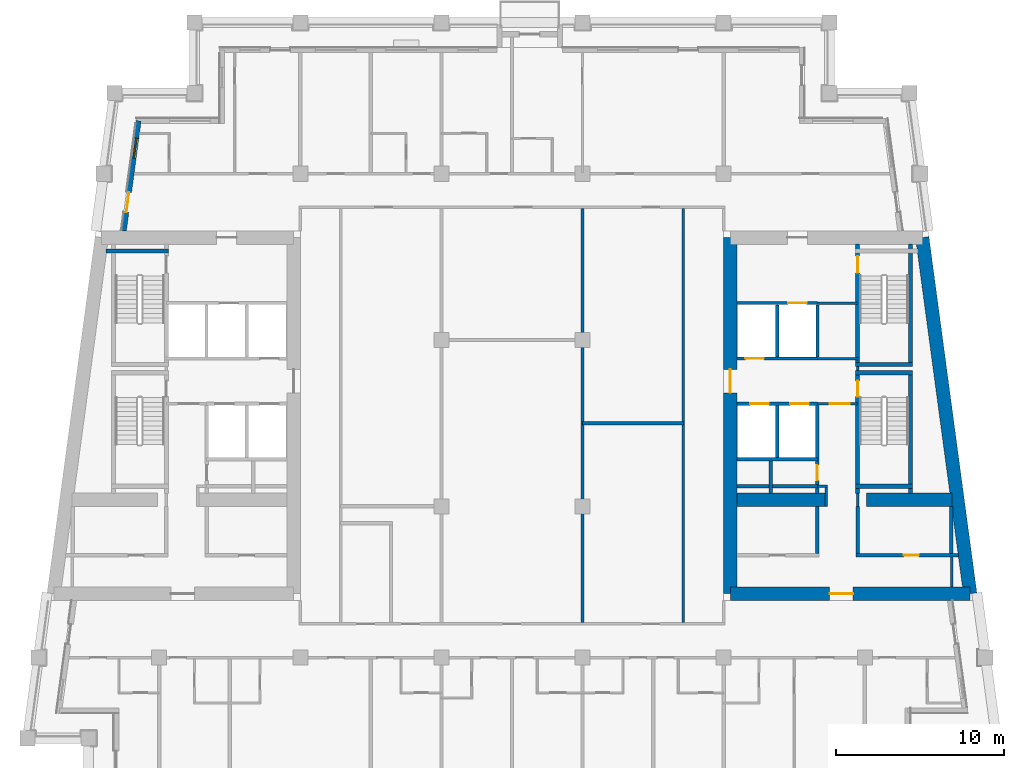
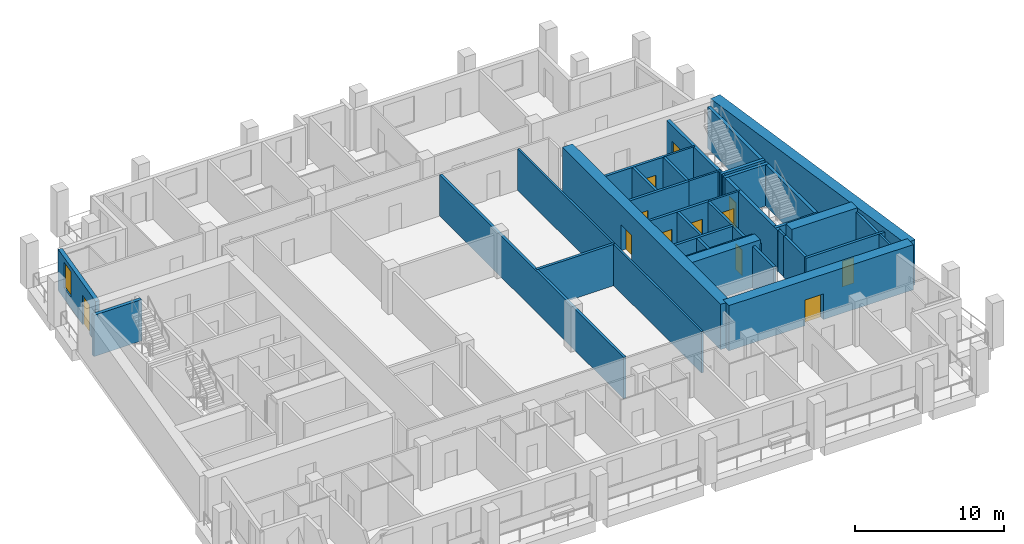
# One storey, part 5 of 12: 39 walls, 12 doors, 1 window, 13 openings.
"""IFC4 building model written with IfcOpenShell, lengths in metres."""

from ifc_helpers import new_model, si_unit, direction, frame, frame_2d, origin, place, context, subcontext, project, spatial, rectangle, extrude, material, layer, layer_set, type_object, element, fill, save


model = new_model("IFC4")

# Units and contexts
model_context = context("Model", 3, precision=1e-05, world=origin(), true_north=direction((0.0, 1.0)))
body_context = subcontext(model_context, "Body", "Model", "MODEL_VIEW")
ifc_project = project(units=[si_unit("LENGTHUNIT", "METRE"), si_unit("AREAUNIT", "SQUARE_METRE"), si_unit("VOLUMEUNIT", "CUBIC_METRE"), si_unit("PLANEANGLEUNIT", "RADIAN"), si_unit("MASSUNIT", "GRAM", prefix="KILO")], contexts=[model_context])

# Site, building, storey
site_placement = place(None, origin())
site = spatial("IfcSite", under=ifc_project, at=site_placement, CompositionType="ELEMENT")
building_placement = place(site_placement, origin())
building = spatial("IfcBuilding", under=site, at=building_placement, Name="Candeia Pilgrim Tower and Theatre", CompositionType="ELEMENT")
storey_placement = place(building_placement, frame((0.0, 0.0, 213.300048828125)))
storey = spatial("IfcBuildingStorey", under=building, at=storey_placement, Name="L51", CompositionType="ELEMENT", Elevation=213.300048828125)

# Wall
ifc_material_1 = material(Name="Concrete C50/60", Category="concrete")
ifc_layer_1 = layer(ifc_material_1, 0.800048828125)
ifc_layer_set_1 = layer_set([ifc_layer_1], Name="Core wall 800 C50/60")
wall_type_1 = type_object("IfcWallType", Name="Core wall 800 C50/60", PredefinedType="SHEAR", material=ifc_layer_set_1)
wall_1_placement = place(storey_placement, frame((137.819580078125, 132.0, 0.0), z_axis=(0.0, 0.0, 1.0), x_axis=(0.133408347329, -0.991061154956, 0.0)))
element("IfcWall", 1, at=wall_1_placement, inside=storey, type_object=wall_type_1, Name="Core wall E2", PredefinedType="SHEAR", context=body_context, shape_type="SweptSolid", body=[
    extrude(rectangle(XDim=21.39111328125, YDim=0.800048828125, at=frame_2d((10.695556640625, 0.0))), origin(), (0.0, 0.0, 1.0), 3.699951171875),
])

# Wall, opening, door
wall_2_placement = place(storey_placement, frame((140.67333984375, 110.800048828125, 0.0), z_axis=(0.0, 0.0, 1.0), x_axis=(-1.0, 0.0, 0.0)))
wall_2 = element("IfcWall", 2, at=wall_2_placement, inside=storey, type_object=wall_type_1, Name="Core wall E3", PredefinedType="SHEAR", context=body_context, shape_type="SweptSolid", body=[
    extrude(rectangle(XDim=14.2734375, YDim=0.800048828125, at=frame_2d((7.13671875, 0.0))), origin(), (0.0, 0.0, 1.0), 3.699951171875),
])
opening_1_placement = place(wall_2_placement, frame((6.96533203125, 0.0, 0.0)))
opening_1 = element("IfcOpeningElement", 3, at=opening_1_placement, cuts=wall_2, Name="Opening L51-D056", PredefinedType="OPENING", context=body_context, shape_type="SweptSolid", body=[
    extrude(rectangle(XDim=1.39990234375, YDim=2.10009765625, at=frame_2d((0.699951171875, 1.050048828125))), frame((0.0, 0.41015625, 0.0), z_axis=(0.0, -1.0, 0.0), x_axis=(1.0, 0.0, 0.0)), (0.0, 0.0, 1.0), 0.820068359375),
])
ifc_material_2 = material(Name="Steel fire door set", Category="steel")
door_type_1 = type_object("IfcDoorType", Name="D-1400-FD60", OperationType="NOTDEFINED", PredefinedType="DOOR", material=ifc_material_2)
door_1_placement = place(opening_1_placement, origin())
door_1 = element("IfcDoor", 4, at=door_1_placement, inside=storey, type_object=door_type_1, Name="Door L51-D056", OperationType="SINGLE_SWING_LEFT", OverallHeight=2.10009765625, OverallWidth=1.39990234375, PredefinedType="DOOR", context=body_context, shape_type="SweptSolid", body=[
    extrude(rectangle(XDim=1.39990234375, YDim=2.10009765625, at=frame_2d((0.699951171875, 1.050048828125))), frame((0.0, 0.02490234375, 0.0), z_axis=(0.0, -1.0, 0.0), x_axis=(1.0, 0.0, 0.0)), (0.0, 0.0, 1.0), 0.050048828125),
])
fill(opening_1, door_1)

wall_3_placement = place(storey_placement, frame((126.39990234375, 110.800048828125, 0.0), z_axis=(0.0, 0.0, 1.0), x_axis=(0.0, 1.0, 0.0)))
wall_3 = element("IfcWall", 5, at=wall_3_placement, inside=storey, type_object=wall_type_1, Name="Core wall E4", PredefinedType="SHEAR", context=body_context, shape_type="SweptSolid", body=[
    extrude(rectangle(XDim=21.199951171875, YDim=0.800048828125, at=frame_2d((10.60009765625, 0.0))), origin(), (0.0, 0.0, 1.0), 3.699951171875),
])
opening_2_placement = place(wall_3_placement, frame((11.949951171875, 0.0, 0.0)))
opening_2 = element("IfcOpeningElement", 6, at=opening_2_placement, cuts=wall_3, Name="Opening L51-D058", PredefinedType="OPENING", context=body_context, shape_type="SweptSolid", body=[
    extrude(rectangle(XDim=1.39990234375, YDim=2.10009765625, at=frame_2d((0.699951171875, 1.050048828125))), frame((0.0, 0.41015625, 0.0), z_axis=(0.0, -1.0, 0.0), x_axis=(1.0, 0.0, 0.0)), (0.0, 0.0, 1.0), 0.820068359375),
])
door_2_placement = place(opening_2_placement, origin())
door_2 = element("IfcDoor", 7, at=door_2_placement, inside=storey, type_object=door_type_1, Name="Door L51-D058", OperationType="SINGLE_SWING_LEFT", OverallHeight=2.10009765625, OverallWidth=1.39990234375, PredefinedType="DOOR", context=body_context, shape_type="SweptSolid", body=[
    extrude(rectangle(XDim=1.39990234375, YDim=2.10009765625, at=frame_2d((0.699951171875, 1.050048828125))), frame((0.0, 0.02490234375, 0.0), z_axis=(0.0, -1.0, 0.0), x_axis=(1.0, 0.0, 0.0)), (0.0, 0.0, 1.0), 0.050048828125),
])
fill(opening_2, door_2)

# Walls
wall_4_placement = place(storey_placement, frame((126.800048828125, 116.39990234375, 0.0), z_axis=(0.0, 0.0, 1.0), x_axis=(1.0, 0.0, 0.0)))
element("IfcWall", 8, at=wall_4_placement, inside=storey, type_object=wall_type_1, Name="Core wall E5", PredefinedType="SHEAR", context=body_context, shape_type="SweptSolid", body=[
    extrude(rectangle(XDim=5.300048828125, YDim=0.800048828125, at=frame_2d((2.64990234375, 0.0))), origin(), (0.0, 0.0, 1.0), 3.699951171875),
])
wall_5_placement = place(storey_placement, frame((134.5, 116.39990234375, 0.0), z_axis=(0.0, 0.0, 1.0), x_axis=(1.0, 0.0, 0.0)))
element("IfcWall", 9, at=wall_5_placement, inside=storey, type_object=wall_type_1, Name="Core wall E6", PredefinedType="SHEAR", context=body_context, shape_type="SweptSolid", body=[
    extrude(rectangle(XDim=5.076904296875, YDim=0.800048828125, at=frame_2d((2.53857421875, 0.0))), origin(), (0.0, 0.0, 1.0), 3.699951171875),
])

# Wall, openings, door, window
ifc_material_3 = material(Name="Ceramic block masonry", Category="masonry")
ifc_layer_2 = layer(ifc_material_3, 0.300048828125)
ifc_layer_set_2 = layer_set([ifc_layer_2], Name="EW1 glazing-line wall 300")
wall_type_2 = type_object("IfcWallType", Name="EW1 glazing-line wall 300", PredefinedType="SOLIDWALL", material=ifc_layer_set_2)
wall_6_placement = place(storey_placement, frame((91.177490234375, 138.949951171875, 0.0), z_axis=(0.0, 0.0, 1.0), x_axis=(-0.133426664613, -0.991058689065, 0.0)))
wall_6 = element("IfcWall", 10, at=wall_6_placement, inside=storey, type_object=wall_type_2, Name="External wall L51-9.0", PredefinedType="SOLIDWALL", context=body_context, shape_type="SweptSolid", body=[
    extrude(rectangle(XDim=6.609130859375, YDim=0.300048828125, at=frame_2d((3.3046875, 0.0))), origin(), (0.0, 0.0, 1.0), 3.3798828125),
])
opening_3_placement = place(wall_6_placement, frame((1.039306640625, 0.0, 0.89990234375)))
opening_3 = element("IfcOpeningElement", 11, at=opening_3_placement, cuts=wall_6, Name="Opening W-B", PredefinedType="OPENING", context=body_context, shape_type="SweptSolid", body=[
    extrude(rectangle(XDim=1.199951171875, YDim=2.10009765625, at=frame_2d((0.60009765625, 1.050048828125))), frame((0.0, 0.16015625, 0.0), z_axis=(0.0, -1.0, 0.0), x_axis=(1.0, 0.0, 0.0)), (0.0, 0.0, 1.0), 0.320068359375),
])
opening_4_placement = place(wall_6_placement, frame((4.293701171875, 0.0, 0.0)))
opening_4 = element("IfcOpeningElement", 12, at=opening_4_placement, cuts=wall_6, Name="Opening L51-ED490", PredefinedType="OPENING", context=body_context, shape_type="SweptSolid", body=[
    extrude(rectangle(XDim=1.199951171875, YDim=2.39990234375, at=frame_2d((0.60009765625, 1.199951171875))), frame((0.0, 0.16015625, 0.0), z_axis=(0.0, -1.0, 0.0), x_axis=(1.0, 0.0, 0.0)), (0.0, 0.0, 1.0), 0.320068359375),
])
ifc_material_4 = material(Name="Aluminium framed glazed door", Category="aluminium")
door_type_2 = type_object("IfcDoorType", Name="Loggia door 1200x2400", OperationType="DOUBLE_DOOR_SINGLE_SWING", PredefinedType="DOOR", material=ifc_material_4)
door_3_placement = place(opening_4_placement, origin())
door_3 = element("IfcDoor", 13, at=door_3_placement, inside=storey, type_object=door_type_2, Name="Loggia door L51-ED490", OperationType="DOUBLE_DOOR_SINGLE_SWING", OverallHeight=2.39990234375, OverallWidth=1.199951171875, PredefinedType="DOOR", context=body_context, shape_type="SweptSolid", body=[
    extrude(rectangle(XDim=1.199951171875, YDim=2.39990234375, at=frame_2d((0.60009765625, 1.199951171875))), frame((0.0, 0.02490234375, 0.0), z_axis=(0.0, -1.0, 0.0), x_axis=(1.0, 0.0, 0.0)), (0.0, 0.0, 1.0), 0.050048828125),
])
fill(opening_4, door_3)
ifc_material_5 = material(Name="Aluminium framed double glazing", Category="aluminium")
window_type = type_object("IfcWindowType", Name="W-B window 1200x2100", PartitioningType="SINGLE_PANEL", PredefinedType="WINDOW", material=ifc_material_5)
window_placement = place(opening_3_placement, origin())
window = element("IfcWindow", 14, at=window_placement, inside=storey, type_object=window_type, Name="Window W-B L51", OverallHeight=2.10009765625, OverallWidth=1.199951171875, PartitioningType="SINGLE_PANEL", PredefinedType="WINDOW", context=body_context, shape_type="SweptSolid", body=[
    extrude(rectangle(XDim=1.199951171875, YDim=2.10009765625, at=frame_2d((0.60009765625, 1.050048828125))), frame((0.0, 0.030029296875, 0.0), z_axis=(0.0, -1.0, 0.0), x_axis=(1.0, 0.0, 0.0)), (0.0, 0.0, 1.0), 0.06005859375),
])
fill(opening_3, window)

# Wall
ifc_material_6 = material(Name="Gypsum board partition on steel studs", Category="steel")
ifc_layer_3 = layer(ifc_material_6, 0.14990234375)
ifc_layer_set_3 = layer_set([ifc_layer_3], Name="PW-150 lobby wall")
wall_type_3 = type_object("IfcWallType", Name="PW-150 lobby wall", PredefinedType="PARTITIONING", material=ifc_layer_set_3)
wall_7_placement = place(storey_placement, frame((131.572998046875, 117.199951171875, 0.0), z_axis=(0.0, 0.0, 1.0), x_axis=(1.0, 0.0, 0.0)))
element("IfcWall", 15, at=wall_7_placement, inside=storey, type_object=wall_type_3, Name="Lobby wall L51-020", PredefinedType="PARTITIONING", context=body_context, shape_type="SweptSolid", body=[
    extrude(rectangle(XDim=0.60205078125, YDim=0.14990234375, at=frame_2d((0.301025390625, 0.0))), origin(), (0.0, 0.0, 1.0), 3.3798828125),
])

# Wall, opening, door
wall_8_placement = place(storey_placement, frame((131.572998046875, 122.10009765625, 0.0), z_axis=(0.0, 0.0, 1.0), x_axis=(1.0, 0.0, 0.0)))
wall_8 = element("IfcWall", 16, at=wall_8_placement, inside=storey, type_object=wall_type_3, Name="Lobby wall L51-029", PredefinedType="PARTITIONING", context=body_context, shape_type="SweptSolid", body=[
    extrude(rectangle(XDim=2.39990234375, YDim=0.14990234375, at=frame_2d((1.199951171875, 0.0))), origin(), (0.0, 0.0, 1.0), 3.3798828125),
])
opening_5_placement = place(wall_8_placement, frame((0.72509765625, 0.0, 0.0)))
opening_5 = element("IfcOpeningElement", 17, at=opening_5_placement, cuts=wall_8, Name="Opening L51-D007", PredefinedType="OPENING", context=body_context, shape_type="SweptSolid", body=[
    extrude(rectangle(XDim=1.199951171875, YDim=2.10009765625, at=frame_2d((0.60009765625, 1.050048828125))), frame((0.0, 0.0849609375, 0.0), z_axis=(0.0, -1.0, 0.0), x_axis=(1.0, 0.0, 0.0)), (0.0, 0.0, 1.0), 0.169921875),
])
door_type_3 = type_object("IfcDoorType", Name="D-1200-FD60", OperationType="NOTDEFINED", PredefinedType="DOOR", material=ifc_material_2)
door_4_placement = place(opening_5_placement, origin())
door_4 = element("IfcDoor", 18, at=door_4_placement, inside=storey, type_object=door_type_3, Name="Door L51-D007", OperationType="SINGLE_SWING_RIGHT", OverallHeight=2.10009765625, OverallWidth=1.199951171875, PredefinedType="DOOR", context=body_context, shape_type="SweptSolid", body=[
    extrude(rectangle(XDim=1.199951171875, YDim=2.10009765625, at=frame_2d((0.60009765625, 1.050048828125))), frame((0.0, 0.02490234375, 0.0), z_axis=(0.0, -1.0, 0.0), x_axis=(1.0, 0.0, 0.0)), (0.0, 0.0, 1.0), 0.050048828125),
])
fill(opening_5, door_4)

# Walls
wall_9_placement = place(storey_placement, frame((131.58203125, 124.800048828125, 0.0), z_axis=(0.0, 0.0, 1.0), x_axis=(1.0, 0.0, 0.0)))
element("IfcWall", 19, at=wall_9_placement, inside=storey, type_object=wall_type_3, Name="Lobby wall L51-036", PredefinedType="PARTITIONING", context=body_context, shape_type="SweptSolid", body=[
    extrude(rectangle(XDim=2.515869140625, YDim=0.14990234375, at=frame_2d((1.2578125, 0.0))), origin(), (0.0, 0.0, 1.0), 3.3798828125),
])
wall_10_placement = place(storey_placement, frame((131.58203125, 128.10009765625, 0.0), z_axis=(0.0, 0.0, 1.0), x_axis=(1.0, 0.0, 0.0)))
element("IfcWall", 20, at=wall_10_placement, inside=storey, type_object=wall_type_3, Name="Lobby wall L51-040", PredefinedType="PARTITIONING", context=body_context, shape_type="SweptSolid", body=[
    extrude(rectangle(XDim=2.390869140625, YDim=0.14990234375, at=frame_2d((1.1953125, 0.0))), origin(), (0.0, 0.0, 1.0), 3.3798828125),
])
wall_11_placement = place(storey_placement, frame((132.10009765625, 116.0, 0.0), z_axis=(0.0, 0.0, 1.0), x_axis=(0.0, 1.0, 0.0)))
element("IfcWall", 21, at=wall_11_placement, inside=storey, type_object=wall_type_3, Name="Lobby wall L51-109", PredefinedType="PARTITIONING", context=body_context, shape_type="SweptSolid", body=[
    extrude(rectangle(XDim=1.125, YDim=0.14990234375, at=frame_2d((0.5625, 0.0))), origin(), (0.0, 0.0, 1.0), 3.3798828125),
])
wall_12_placement = place(storey_placement, frame((133.972900390625, 116.0, 0.0), z_axis=(0.0, 0.0, 1.0), x_axis=(0.0, 1.0, 0.0)))
element("IfcWall", 22, at=wall_12_placement, inside=storey, type_object=wall_type_3, Name="Lobby wall L51-111", PredefinedType="PARTITIONING", context=body_context, shape_type="SweptSolid", body=[
    extrude(rectangle(XDim=0.77001953125, YDim=0.14990234375, at=frame_2d((0.385009765625, 0.0))), origin(), (0.0, 0.0, 1.0), 3.3798828125),
])
wall_13_placement = place(storey_placement, frame((133.972900390625, 124.074951171875, 0.0), z_axis=(0.0, 0.0, 1.0), x_axis=(0.0, 1.0, 0.0)))
element("IfcWall", 23, at=wall_13_placement, inside=storey, type_object=wall_type_3, Name="Lobby wall L51-112", PredefinedType="PARTITIONING", context=body_context, shape_type="SweptSolid", body=[
    extrude(rectangle(XDim=0.25, YDim=0.14990234375, at=frame_2d((0.125, 0.0))), origin(), (0.0, 0.0, 1.0), 3.3798828125),
])
wall_14_placement = place(storey_placement, frame((139.572998046875, 111.199951171875, 0.0), z_axis=(0.0, 0.0, 1.0), x_axis=(0.0, 1.0, 0.0)))
element("IfcWall", 24, at=wall_14_placement, inside=storey, type_object=wall_type_3, Name="Lobby wall L51-120", PredefinedType="PARTITIONING", context=body_context, shape_type="SweptSolid", body=[
    extrude(rectangle(XDim=1.800048828125, YDim=0.14990234375, at=frame_2d((0.89990234375, 0.0))), origin(), (0.0, 0.0, 1.0), 3.3798828125),
])
ifc_layer_4 = layer(ifc_material_6, 0.14990234375)
ifc_layer_set_4 = layer_set([ifc_layer_4], Name="PW-150 unit wall")
wall_type_4 = type_object("IfcWallType", Name="PW-150 unit wall", PredefinedType="PARTITIONING", material=ifc_layer_set_4)
wall_15_placement = place(storey_placement, frame((123.60009765625, 109.074951171875, 0.0), z_axis=(0.0, 0.0, 1.0), x_axis=(0.0, 1.0, 0.0)))
element("IfcWall", 25, at=wall_15_placement, inside=storey, type_object=wall_type_4, Name="Unit wall L51-096", PredefinedType="PARTITIONING", context=body_context, shape_type="SweptSolid", body=[
    extrude(rectangle(XDim=24.650146484375, YDim=0.14990234375, at=frame_2d((12.3251953125, 0.0))), origin(), (0.0, 0.0, 1.0), 3.3798828125),
])
ifc_layer_5 = layer(ifc_material_6, 0.199951171875)
ifc_layer_set_5 = layer_set([ifc_layer_5], Name="PW-200 party wall")
wall_type_5 = type_object("IfcWallType", Name="PW-200 party wall", PredefinedType="PARTITIONING", material=ifc_layer_set_5)
wall_16_placement = place(storey_placement, frame((117.60009765625, 120.949951171875, 0.0), z_axis=(0.0, 0.0, 1.0), x_axis=(1.0, 0.0, 0.0)))
element("IfcWall", 26, at=wall_16_placement, inside=storey, type_object=wall_type_5, Name="Party wall L51-025", PredefinedType="PARTITIONING", context=body_context, shape_type="SweptSolid", body=[
    extrude(rectangle(XDim=6.0, YDim=0.199951171875, at=frame_2d((3.0, 0.0))), origin(), (0.0, 0.0, 1.0), 3.3798828125),
])
wall_17_placement = place(storey_placement, frame((117.60009765625, 109.074951171875, 0.0), z_axis=(0.0, 0.0, 1.0), x_axis=(0.0, 1.0, 0.0)))
element("IfcWall", 27, at=wall_17_placement, inside=storey, type_object=wall_type_5, Name="Party wall L51-092", PredefinedType="PARTITIONING", context=body_context, shape_type="SweptSolid", body=[
    extrude(rectangle(XDim=24.650146484375, YDim=0.199951171875, at=frame_2d((12.3251953125, 0.0))), origin(), (0.0, 0.0, 1.0), 3.3798828125),
])

# Wall, opening, door
ifc_material_7 = material(Name="Concrete C40/50", Category="concrete")
ifc_layer_6 = layer(ifc_material_7, 0.199951171875)
ifc_layer_set_6 = layer_set([ifc_layer_6], Name="SW-200 shaft wall")
wall_type_6 = type_object("IfcWallType", Name="SW-200 shaft wall", PredefinedType="PARTITIONING", material=ifc_layer_set_6)
wall_18_placement = place(storey_placement, frame((133.873046875, 113.10009765625, 0.0), z_axis=(0.0, 0.0, 1.0), x_axis=(1.0, 0.0, 0.0)))
wall_18 = element("IfcWall", 28, at=wall_18_placement, inside=storey, type_object=wall_type_6, Name="Shaft wall L51-014", PredefinedType="PARTITIONING", context=body_context, shape_type="SweptSolid", body=[
    extrude(rectangle(XDim=6.116943359375, YDim=0.199951171875, at=frame_2d((3.05859375, 0.0))), origin(), (0.0, 0.0, 1.0), 3.3798828125),
])
opening_6_placement = place(wall_18_placement, frame((2.85009765625, 0.0, 0.0)))
opening_6 = element("IfcOpeningElement", 29, at=opening_6_placement, cuts=wall_18, Name="Opening L51-D011", PredefinedType="OPENING", context=body_context, shape_type="SweptSolid", body=[
    extrude(rectangle(XDim=0.89990234375, YDim=2.10009765625, at=frame_2d((0.449951171875, 1.050048828125))), frame((0.0, 0.10986328125, 0.0), z_axis=(0.0, -1.0, 0.0), x_axis=(1.0, 0.0, 0.0)), (0.0, 0.0, 1.0), 0.219970703125),
])
door_type_4 = type_object("IfcDoorType", Name="D-900-FD60", OperationType="NOTDEFINED", PredefinedType="DOOR", material=ifc_material_2)
door_5_placement = place(opening_6_placement, origin())
door_5 = element("IfcDoor", 30, at=door_5_placement, inside=storey, type_object=door_type_4, Name="Door L51-D011", OperationType="SINGLE_SWING_RIGHT", OverallHeight=2.10009765625, OverallWidth=0.89990234375, PredefinedType="DOOR", context=body_context, shape_type="SweptSolid", body=[
    extrude(rectangle(XDim=0.89990234375, YDim=2.10009765625, at=frame_2d((0.449951171875, 1.050048828125))), frame((0.0, 0.02490234375, 0.0), z_axis=(0.0, -1.0, 0.0), x_axis=(1.0, 0.0, 0.0)), (0.0, 0.0, 1.0), 0.050048828125),
])
fill(opening_6, door_5)

# Walls
for number, where, z_axis, x_axis, name in (
    (31, (126.800048828125, 117.199951171875, 0.0), (0.0, 0.0, 1.0), (1.0, 0.0, 0.0), "Shaft wall L51-018"),
    (32, (126.800048828125, 118.800048828125, 0.0), (0.0, 0.0, 1.0), (1.0, 0.0, 0.0), "Shaft wall L51-024"),
):
    element("IfcWall", number, at=place(storey_placement, frame(where, z_axis=z_axis, x_axis=x_axis)), inside=storey, type_object=wall_type_6, Name=name, PredefinedType="PARTITIONING", context=body_context, shape_type="SweptSolid", body=[
        extrude(rectangle(XDim=4.77294921875, YDim=0.199951171875, at=frame_2d((2.386474609375, 0.0))), origin(), (0.0, 0.0, 1.0), 3.3798828125),
    ])

# Wall, openings, doors
wall_19_placement = place(storey_placement, frame((126.800048828125, 122.10009765625, 0.0), z_axis=(0.0, 0.0, 1.0), x_axis=(1.0, 0.0, 0.0)))
wall_19 = element("IfcWall", 33, at=wall_19_placement, inside=storey, type_object=wall_type_6, Name="Shaft wall L51-027", PredefinedType="PARTITIONING", context=body_context, shape_type="SweptSolid", body=[
    extrude(rectangle(XDim=4.77294921875, YDim=0.199951171875, at=frame_2d((2.386474609375, 0.0))), origin(), (0.0, 0.0, 1.0), 3.3798828125),
])
opening_7_placement = place(wall_19_placement, frame((3.176025390625, 0.0, 0.0)))
opening_7 = element("IfcOpeningElement", 34, at=opening_7_placement, cuts=wall_19, Name="Opening L51-LD05", PredefinedType="OPENING", context=body_context, shape_type="SweptSolid", body=[
    extrude(rectangle(XDim=1.10009765625, YDim=2.10009765625, at=frame_2d((0.550048828125, 1.050048828125))), frame((0.0, 0.10986328125, 0.0), z_axis=(0.0, -1.0, 0.0), x_axis=(1.0, 0.0, 0.0)), (0.0, 0.0, 1.0), 0.219970703125),
])
opening_8_placement = place(wall_19_placement, frame((0.7900390625, 0.0, 0.0)))
opening_8 = element("IfcOpeningElement", 35, at=opening_8_placement, cuts=wall_19, Name="Opening L51-LD06", PredefinedType="OPENING", context=body_context, shape_type="SweptSolid", body=[
    extrude(rectangle(XDim=1.10009765625, YDim=2.10009765625, at=frame_2d((0.550048828125, 1.050048828125))), frame((0.0, 0.10986328125, 0.0), z_axis=(0.0, -1.0, 0.0), x_axis=(1.0, 0.0, 0.0)), (0.0, 0.0, 1.0), 0.219970703125),
])
ifc_material_8 = material(Name="Glazed aluminium landing door", Category="aluminium")
door_type_5 = type_object("IfcDoorType", Name="LD-1100-EI120", OperationType="SLIDING_TO_LEFT", PredefinedType="DOOR", material=ifc_material_8)
door_6_placement = place(opening_7_placement, origin())
door_6 = element("IfcDoor", 36, at=door_6_placement, inside=storey, type_object=door_type_5, Name="Landing door 05 L51", OperationType="SLIDING_TO_LEFT", OverallHeight=2.10009765625, OverallWidth=1.10009765625, PredefinedType="DOOR", context=body_context, shape_type="SweptSolid", body=[
    extrude(rectangle(XDim=1.10009765625, YDim=2.10009765625, at=frame_2d((0.550048828125, 1.050048828125))), frame((0.0, 0.02490234375, 0.0), z_axis=(0.0, -1.0, 0.0), x_axis=(1.0, 0.0, 0.0)), (0.0, 0.0, 1.0), 0.050048828125),
])
fill(opening_7, door_6)
door_7_placement = place(opening_8_placement, origin())
door_7 = element("IfcDoor", 37, at=door_7_placement, inside=storey, type_object=door_type_5, Name="Landing door 06 L51", OperationType="SLIDING_TO_LEFT", OverallHeight=2.10009765625, OverallWidth=1.10009765625, PredefinedType="DOOR", context=body_context, shape_type="SweptSolid", body=[
    extrude(rectangle(XDim=1.10009765625, YDim=2.10009765625, at=frame_2d((0.550048828125, 1.050048828125))), frame((0.0, 0.02490234375, 0.0), z_axis=(0.0, -1.0, 0.0), x_axis=(1.0, 0.0, 0.0)), (0.0, 0.0, 1.0), 0.050048828125),
])
fill(opening_8, door_7)

# Wall, opening, door
wall_20_placement = place(storey_placement, frame((126.800048828125, 124.800048828125, 0.0), z_axis=(0.0, 0.0, 1.0), x_axis=(1.0, 0.0, 0.0)))
wall_20 = element("IfcWall", 38, at=wall_20_placement, inside=storey, type_object=wall_type_6, Name="Shaft wall L51-035", PredefinedType="PARTITIONING", context=body_context, shape_type="SweptSolid", body=[
    extrude(rectangle(XDim=4.781982421875, YDim=0.199951171875, at=frame_2d((2.39111328125, 0.0))), origin(), (0.0, 0.0, 1.0), 3.3798828125),
])
opening_9_placement = place(wall_20_placement, frame((0.498046875, 0.0, 0.0)))
opening_9 = element("IfcOpeningElement", 39, at=opening_9_placement, cuts=wall_20, Name="Opening L51-LD08", PredefinedType="OPENING", context=body_context, shape_type="SweptSolid", body=[
    extrude(rectangle(XDim=1.10009765625, YDim=2.10009765625, at=frame_2d((0.550048828125, 1.050048828125))), frame((0.0, 0.10986328125, 0.0), z_axis=(0.0, -1.0, 0.0), x_axis=(1.0, 0.0, 0.0)), (0.0, 0.0, 1.0), 0.219970703125),
])
door_8_placement = place(opening_9_placement, origin())
door_8 = element("IfcDoor", 40, at=door_8_placement, inside=storey, type_object=door_type_5, Name="Landing door 08 L51", OperationType="SLIDING_TO_LEFT", OverallHeight=2.10009765625, OverallWidth=1.10009765625, PredefinedType="DOOR", context=body_context, shape_type="SweptSolid", body=[
    extrude(rectangle(XDim=1.10009765625, YDim=2.10009765625, at=frame_2d((0.550048828125, 1.050048828125))), frame((0.0, 0.02490234375, 0.0), z_axis=(0.0, -1.0, 0.0), x_axis=(1.0, 0.0, 0.0)), (0.0, 0.0, 1.0), 0.050048828125),
])
fill(opening_9, door_8)

wall_21_placement = place(storey_placement, frame((126.800048828125, 128.10009765625, 0.0), z_axis=(0.0, 0.0, 1.0), x_axis=(1.0, 0.0, 0.0)))
wall_21 = element("IfcWall", 41, at=wall_21_placement, inside=storey, type_object=wall_type_6, Name="Shaft wall L51-039", PredefinedType="PARTITIONING", context=body_context, shape_type="SweptSolid", body=[
    extrude(rectangle(XDim=4.781982421875, YDim=0.199951171875, at=frame_2d((2.39111328125, 0.0))), origin(), (0.0, 0.0, 1.0), 3.3798828125),
])
opening_10_placement = place(wall_21_placement, frame((3.035888671875, 0.0, 0.0)))
opening_10 = element("IfcOpeningElement", 42, at=opening_10_placement, cuts=wall_21, Name="Opening L51-LD07", PredefinedType="OPENING", context=body_context, shape_type="SweptSolid", body=[
    extrude(rectangle(XDim=1.10009765625, YDim=2.10009765625, at=frame_2d((0.550048828125, 1.050048828125))), frame((0.0, 0.10986328125, 0.0), z_axis=(0.0, -1.0, 0.0), x_axis=(1.0, 0.0, 0.0)), (0.0, 0.0, 1.0), 0.219970703125),
])
door_9_placement = place(opening_10_placement, origin())
door_9 = element("IfcDoor", 43, at=door_9_placement, inside=storey, type_object=door_type_5, Name="Landing door 07 L51", OperationType="SLIDING_TO_LEFT", OverallHeight=2.10009765625, OverallWidth=1.10009765625, PredefinedType="DOOR", context=body_context, shape_type="SweptSolid", body=[
    extrude(rectangle(XDim=1.10009765625, YDim=2.10009765625, at=frame_2d((0.550048828125, 1.050048828125))), frame((0.0, 0.02490234375, 0.0), z_axis=(0.0, -1.0, 0.0), x_axis=(1.0, 0.0, 0.0)), (0.0, 0.0, 1.0), 0.050048828125),
])
fill(opening_10, door_9)

# Walls
wall_22_placement = place(storey_placement, frame((128.800048828125, 116.77001953125, 0.0), z_axis=(0.0, 0.0, 1.0), x_axis=(0.0, 1.0, 0.0)))
element("IfcWall", 44, at=wall_22_placement, inside=storey, type_object=wall_type_6, Name="Shaft wall L51-102", PredefinedType="PARTITIONING", context=body_context, shape_type="SweptSolid", body=[
    extrude(rectangle(XDim=1.929931640625, YDim=0.199951171875, at=frame_2d((0.96484375, 0.0))), origin(), (0.0, 0.0, 1.0), 3.3798828125),
])
for number, where, z_axis, x_axis, name in (
    (45, (129.1865234375, 118.89990234375, 0.0), (0.0, 0.0, 1.0), (0.0, 1.0, 0.0), "Shaft wall L51-103"),
    (46, (129.19091796875, 124.89990234375, 0.0), (0.0, 0.0, 1.0), (0.0, 1.0, 0.0), "Shaft wall L51-104"),
):
    element("IfcWall", number, at=place(storey_placement, frame(where, z_axis=z_axis, x_axis=x_axis)), inside=storey, type_object=wall_type_6, Name=name, PredefinedType="PARTITIONING", context=body_context, shape_type="SweptSolid", body=[
        extrude(rectangle(XDim=3.10009765625, YDim=0.199951171875, at=frame_2d((1.550048828125, 0.0))), origin(), (0.0, 0.0, 1.0), 3.3798828125),
    ])
wall_23_placement = place(storey_placement, frame((131.572998046875, 113.199951171875, 0.0), z_axis=(0.0, 0.0, 1.0), x_axis=(0.0, 1.0, 0.0)))
element("IfcWall", 47, at=wall_23_placement, inside=storey, type_object=wall_type_6, Name="Shaft wall L51-106", PredefinedType="PARTITIONING", context=body_context, shape_type="SweptSolid", body=[
    extrude(rectangle(XDim=2.800048828125, YDim=0.199951171875, at=frame_2d((1.39990234375, 0.0))), origin(), (0.0, 0.0, 1.0), 3.3798828125),
])

# Wall, opening, door
wall_24_placement = place(storey_placement, frame((131.572998046875, 116.77001953125, 0.0), z_axis=(0.0, 0.0, 1.0), x_axis=(0.0, 1.0, 0.0)))
wall_24 = element("IfcWall", 48, at=wall_24_placement, inside=storey, type_object=wall_type_6, Name="Shaft wall L51-107", PredefinedType="PARTITIONING", context=body_context, shape_type="SweptSolid", body=[
    extrude(rectangle(XDim=5.22998046875, YDim=0.199951171875, at=frame_2d((2.614990234375, 0.0))), origin(), (0.0, 0.0, 1.0), 3.3798828125),
])
opening_11_placement = place(wall_24_placement, frame((0.780029296875, 0.0, 0.0)))
opening_11 = element("IfcOpeningElement", 49, at=opening_11_placement, cuts=wall_24, Name="Opening L51-D010", PredefinedType="OPENING", context=body_context, shape_type="SweptSolid", body=[
    extrude(rectangle(XDim=0.89990234375, YDim=2.10009765625, at=frame_2d((0.449951171875, 1.050048828125))), frame((0.0, 0.10986328125, 0.0), z_axis=(0.0, -1.0, 0.0), x_axis=(1.0, 0.0, 0.0)), (0.0, 0.0, 1.0), 0.219970703125),
])
door_10_placement = place(opening_11_placement, origin())
door_10 = element("IfcDoor", 50, at=door_10_placement, inside=storey, type_object=door_type_4, Name="Door L51-D010", OperationType="SINGLE_SWING_LEFT", OverallHeight=2.10009765625, OverallWidth=0.89990234375, PredefinedType="DOOR", context=body_context, shape_type="SweptSolid", body=[
    extrude(rectangle(XDim=0.89990234375, YDim=2.10009765625, at=frame_2d((0.449951171875, 1.050048828125))), frame((0.0, 0.02490234375, 0.0), z_axis=(0.0, -1.0, 0.0), x_axis=(1.0, 0.0, 0.0)), (0.0, 0.0, 1.0), 0.050048828125),
])
fill(opening_11, door_10)

# Walls
wall_25_placement = place(storey_placement, frame((131.58203125, 124.89990234375, 0.0), z_axis=(0.0, 0.0, 1.0), x_axis=(0.0, 1.0, 0.0)))
element("IfcWall", 51, at=wall_25_placement, inside=storey, type_object=wall_type_6, Name="Shaft wall L51-108", PredefinedType="PARTITIONING", context=body_context, shape_type="SweptSolid", body=[
    extrude(rectangle(XDim=3.10009765625, YDim=0.199951171875, at=frame_2d((1.550048828125, 0.0))), origin(), (0.0, 0.0, 1.0), 3.3798828125),
])
for number, where, z_axis, x_axis, name in (
    (52, (133.972900390625, 113.199951171875, 0.0), (0.0, 0.0, 1.0), (0.0, 1.0, 0.0), "Shaft wall L51-110"),
    (53, (139.550537109375, 113.199951171875, 0.0), (0.0, 0.0, 1.0), (0.0, 1.0, 0.0), "Shaft wall L51-119"),
):
    element("IfcWall", number, at=place(storey_placement, frame(where, z_axis=z_axis, x_axis=x_axis)), inside=storey, type_object=wall_type_6, Name=name, PredefinedType="PARTITIONING", context=body_context, shape_type="SweptSolid", body=[
        extrude(rectangle(XDim=2.800048828125, YDim=0.199951171875, at=frame_2d((1.39990234375, 0.0))), origin(), (0.0, 0.0, 1.0), 3.3798828125),
    ])
ifc_layer_7 = layer(ifc_material_7, 0.25)
ifc_layer_set_7 = layer_set([ifc_layer_7], Name="SW-250 stair wall")
wall_type_7 = type_object("IfcWallType", Name="SW-250 stair wall", PredefinedType="PARTITIONING", material=ifc_layer_set_7)
for number, where, z_axis, x_axis, name in (
    (54, (133.847900390625, 117.199951171875, 0.0), (0.0, 0.0, 1.0), (1.0, 0.0, 0.0), "Stair wall L51-022"),
    (55, (133.847900390625, 123.949951171875, 0.0), (0.0, 0.0, 1.0), (1.0, 0.0, 0.0), "Stair wall L51-031"),
    (56, (133.847900390625, 124.449951171875, 0.0), (0.0, 0.0, 1.0), (1.0, 0.0, 0.0), "Stair wall L51-033"),
):
    element("IfcWall", number, at=place(storey_placement, frame(where, z_axis=z_axis, x_axis=x_axis)), inside=storey, type_object=wall_type_7, Name=name, PredefinedType="PARTITIONING", context=body_context, shape_type="SweptSolid", body=[
        extrude(rectangle(XDim=3.400146484375, YDim=0.25, at=frame_2d((1.7001953125, 0.0))), origin(), (0.0, 0.0, 1.0), 3.3798828125),
    ])
wall_26_placement = place(storey_placement, frame((89.246337890625, 131.199951171875, 0.0), z_axis=(0.0, 0.0, 1.0), x_axis=(1.0, 0.0, 0.0)))
element("IfcWall", 57, at=wall_26_placement, inside=storey, type_object=wall_type_7, Name="Stair wall L51-041", PredefinedType="PARTITIONING", context=body_context, shape_type="SweptSolid", body=[
    extrude(rectangle(XDim=3.70556640625, YDim=0.25, at=frame_2d((1.852783203125, 0.0))), origin(), (0.0, 0.0, 1.0), 3.3798828125),
])

# Wall, opening, door
wall_27_placement = place(storey_placement, frame((133.972900390625, 116.77001953125, 0.0), z_axis=(0.0, 0.0, 1.0), x_axis=(0.0, 1.0, 0.0)))
wall_27 = element("IfcWall", 58, at=wall_27_placement, inside=storey, type_object=wall_type_7, Name="Stair wall L51-113", PredefinedType="PARTITIONING", context=body_context, shape_type="SweptSolid", body=[
    extrude(rectangle(XDim=7.054931640625, YDim=0.25, at=frame_2d((3.52734375, 0.0))), origin(), (0.0, 0.0, 1.0), 3.3798828125),
])
opening_12_placement = place(wall_27_placement, frame((5.7548828125, 0.0, 0.0)))
opening_12 = element("IfcOpeningElement", 59, at=opening_12_placement, cuts=wall_27, Name="Opening L51-D008", PredefinedType="OPENING", context=body_context, shape_type="SweptSolid", body=[
    extrude(rectangle(XDim=0.949951171875, YDim=2.10009765625, at=frame_2d((0.47509765625, 1.050048828125))), frame((0.0, 0.135009765625, 0.0), z_axis=(0.0, -1.0, 0.0), x_axis=(1.0, 0.0, 0.0)), (0.0, 0.0, 1.0), 0.27001953125),
])
door_type_6 = type_object("IfcDoorType", Name="D-950-FD60", OperationType="NOTDEFINED", PredefinedType="DOOR", material=ifc_material_2)
door_11_placement = place(opening_12_placement, origin())
door_11 = element("IfcDoor", 60, at=door_11_placement, inside=storey, type_object=door_type_6, Name="Door L51-D008", OperationType="SINGLE_SWING_LEFT", OverallHeight=2.10009765625, OverallWidth=0.949951171875, PredefinedType="DOOR", context=body_context, shape_type="SweptSolid", body=[
    extrude(rectangle(XDim=0.949951171875, YDim=2.10009765625, at=frame_2d((0.47509765625, 1.050048828125))), frame((0.0, 0.02490234375, 0.0), z_axis=(0.0, -1.0, 0.0), x_axis=(1.0, 0.0, 0.0)), (0.0, 0.0, 1.0), 0.050048828125),
])
fill(opening_12, door_11)

wall_28_placement = place(storey_placement, frame((133.972900390625, 124.574951171875, 0.0), z_axis=(0.0, 0.0, 1.0), x_axis=(0.0, 1.0, 0.0)))
wall_28 = element("IfcWall", 61, at=wall_28_placement, inside=storey, type_object=wall_type_7, Name="Stair wall L51-114", PredefinedType="PARTITIONING", context=body_context, shape_type="SweptSolid", body=[
    extrude(rectangle(XDim=7.054931640625, YDim=0.25, at=frame_2d((3.52734375, 0.0))), origin(), (0.0, 0.0, 1.0), 3.3798828125),
])
opening_13_placement = place(wall_28_placement, frame((5.324951171875, 0.0, 0.0)))
opening_13 = element("IfcOpeningElement", 62, at=opening_13_placement, cuts=wall_28, Name="Opening L51-D009", PredefinedType="OPENING", context=body_context, shape_type="SweptSolid", body=[
    extrude(rectangle(XDim=1.0, YDim=2.10009765625, at=frame_2d((0.5, 1.050048828125))), frame((0.0, 0.135009765625, 0.0), z_axis=(0.0, -1.0, 0.0), x_axis=(1.0, 0.0, 0.0)), (0.0, 0.0, 1.0), 0.27001953125),
])
door_type_7 = type_object("IfcDoorType", Name="D-1000-FD60", OperationType="NOTDEFINED", PredefinedType="DOOR", material=ifc_material_2)
door_12_placement = place(opening_13_placement, origin())
door_12 = element("IfcDoor", 63, at=door_12_placement, inside=storey, type_object=door_type_7, Name="Door L51-D009", OperationType="SINGLE_SWING_RIGHT", OverallHeight=2.10009765625, OverallWidth=1.0, PredefinedType="DOOR", context=body_context, shape_type="SweptSolid", body=[
    extrude(rectangle(XDim=1.0, YDim=2.10009765625, at=frame_2d((0.5, 1.050048828125))), frame((0.0, 0.02490234375, 0.0), z_axis=(0.0, -1.0, 0.0), x_axis=(1.0, 0.0, 0.0)), (0.0, 0.0, 1.0), 0.050048828125),
])
fill(opening_13, door_12)

# Walls
for number, where, z_axis, x_axis, name in (
    (64, (137.123046875, 116.77001953125, 0.0), (0.0, 0.0, 1.0), (0.0, 1.0, 0.0), "Stair wall L51-116"),
    (65, (137.123046875, 124.574951171875, 0.0), (0.0, 0.0, 1.0), (0.0, 1.0, 0.0), "Stair wall L51-117"),
):
    element("IfcWall", number, at=place(storey_placement, frame(where, z_axis=z_axis, x_axis=x_axis)), inside=storey, type_object=wall_type_7, Name=name, PredefinedType="PARTITIONING", context=body_context, shape_type="SweptSolid", body=[
        extrude(rectangle(XDim=7.054931640625, YDim=0.25, at=frame_2d((3.52734375, 0.0))), origin(), (0.0, 0.0, 1.0), 3.3798828125),
    ])

save(model, "model.ifc")
